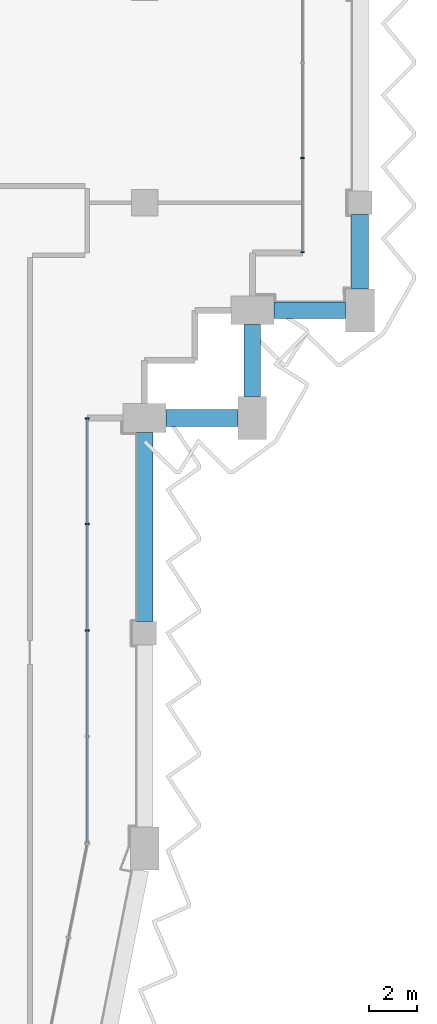
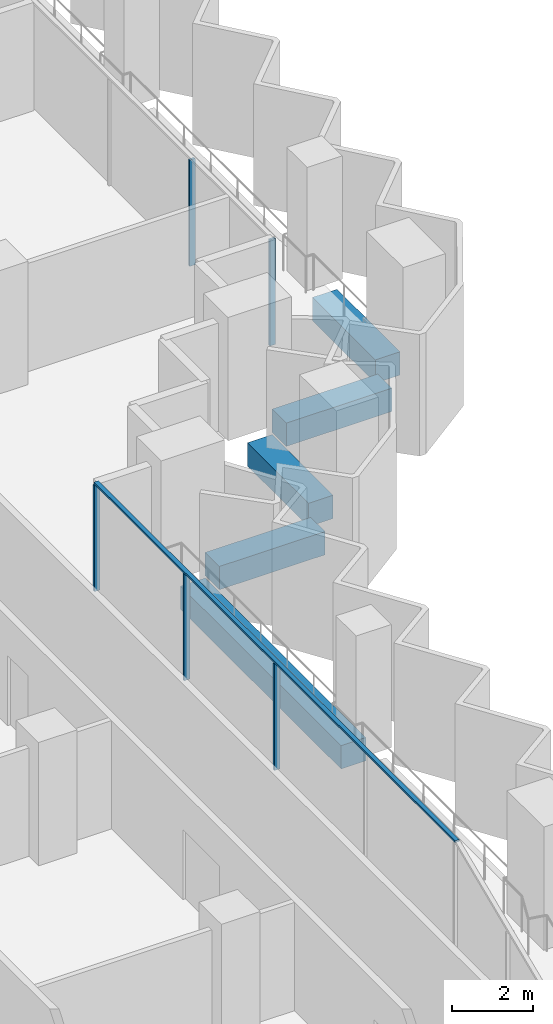
# One storey, part 5 of 18: 6 members, 5 beams, 2 elements without a shape of their own.
"""IFC4 building model written with IfcOpenShell, lengths in metres."""

from ifc_helpers import new_model, si_unit, direction, frame, origin, origin_2d, place, context, subcontext, project, spatial, rectangle, extrude, material, material_profile, profile_set, type_object, element, aggregate, save


model = new_model("IFC4")

# Units and contexts
model_context = context("Model", 3, precision=1e-05, world=origin(), true_north=direction((0.0, 1.0)))
body_context = subcontext(model_context, "Body", "Model", "MODEL_VIEW")
ifc_project = project(units=[si_unit("LENGTHUNIT", "METRE"), si_unit("AREAUNIT", "SQUARE_METRE"), si_unit("VOLUMEUNIT", "CUBIC_METRE"), si_unit("PLANEANGLEUNIT", "RADIAN"), si_unit("MASSUNIT", "GRAM", prefix="KILO")], contexts=[model_context])

# Site, building, storey
site_placement = place(None, origin())
site = spatial("IfcSite", under=ifc_project, at=site_placement, CompositionType="ELEMENT")
building_placement = place(site_placement, origin())
building = spatial("IfcBuilding", under=site, at=building_placement, Name="Hunhe Ridgeline Campus", CompositionType="ELEMENT")
storey_placement = place(building_placement, frame((0.0, 0.0, 223.5)))
storey = spatial("IfcBuildingStorey", under=building, at=storey_placement, Name="L57", CompositionType="ELEMENT", Elevation=223.5)

# Curtain wall, members
ifc_material_1 = material(Name="Aluminium 6063", Category="aluminium")
curtain_wall_type = type_object("IfcCurtainWallType", Name="Curtain wall CW-1", PredefinedType="NOTDEFINED", material=ifc_material_1)
curtain_wall_1_placement = place(storey_placement, origin())
curtain_wall_1 = element("IfcCurtainWall", 1, at=curtain_wall_1_placement, inside=storey, type_object=curtain_wall_type, Name="Curtain wall 11", PredefinedType="NOTDEFINED")
ifc_material_profile_1 = material_profile(ifc_material_1, rectangle(XDim=0.159912109375, YDim=0.06005859375, at=origin_2d()))
ifc_profile_set_1 = profile_set([ifc_material_profile_1], Name="Aluminium 6063")
member_type_1 = type_object("IfcMemberType", Name="CW-1 aluminium mullion", PredefinedType="MULLION", material=ifc_profile_set_1)
member_1_placement = place(storey_placement, frame((42.59912109375, 45.118408203125, 0.0), z_axis=(0.0, 0.0, 1.0), x_axis=(-0.999999999978, 6.642653e-06, 0.0)))
member_1 = element("IfcMember", 2, at=member_1_placement, type_object=member_type_1, Name="CW-1 mullion 3", PredefinedType="MULLION", context=body_context, shape_type="SweptSolid", body=[
    extrude(rectangle(XDim=0.159912109375, YDim=0.06005859375, at=origin_2d()), origin(), (0.0, 0.0, 1.0), 3.18994140625),
])
member_2_placement = place(storey_placement, frame((42.59912109375, 49.5595703125, 0.0), z_axis=(0.0, 0.0, 1.0), x_axis=(-0.999999999978, 6.642653e-06, 0.0)))
member_2 = element("IfcMember", 3, at=member_2_placement, type_object=member_type_1, Name="CW-1 mullion 4", PredefinedType="MULLION", context=body_context, shape_type="SweptSolid", body=[
    extrude(rectangle(XDim=0.159912109375, YDim=0.06005859375, at=origin_2d()), origin(), (0.0, 0.0, 1.0), 3.18994140625),
])
member_3_placement = place(storey_placement, frame((42.59912109375, 53.970458984375, 0.0), z_axis=(0.0, 0.0, 1.0), x_axis=(-0.999999999978, 6.642653e-06, 0.0)))
member_3 = element("IfcMember", 4, at=member_3_placement, type_object=member_type_1, Name="CW-1 mullion 5", PredefinedType="MULLION", context=body_context, shape_type="SweptSolid", body=[
    extrude(rectangle(XDim=0.159912109375, YDim=0.06005859375, at=origin_2d()), origin(), (0.0, 0.0, 1.0), 3.18994140625),
])

curtain_wall_2_placement = place(storey_placement, origin())
curtain_wall_2 = element("IfcCurtainWall", 5, at=curtain_wall_2_placement, inside=storey, type_object=curtain_wall_type, Name="Curtain wall 12", PredefinedType="NOTDEFINED")
member_4_placement = place(storey_placement, frame((51.59912109375, 60.930908203125, 0.0), z_axis=(0.0, 0.0, 1.0), x_axis=(-1.0, 0.0, 0.0)))
member_4 = element("IfcMember", 6, at=member_4_placement, type_object=member_type_1, Name="CW-1 mullion 1", PredefinedType="MULLION", context=body_context, shape_type="SweptSolid", body=[
    extrude(rectangle(XDim=0.159912109375, YDim=0.06005859375, at=origin_2d()), origin(), (0.0, 0.0, 1.0), 3.18994140625),
])
member_5_placement = place(storey_placement, frame((51.59912109375, 64.8759765625, 0.0), z_axis=(0.0, 0.0, 1.0), x_axis=(-1.0, 0.0, 0.0)))
member_5 = element("IfcMember", 7, at=member_5_placement, type_object=member_type_1, Name="CW-1 mullion 2", PredefinedType="MULLION", context=body_context, shape_type="SweptSolid", body=[
    extrude(rectangle(XDim=0.159912109375, YDim=0.06005859375, at=origin_2d()), origin(), (0.0, 0.0, 1.0), 3.18994140625),
])
aggregate(curtain_wall_2, [member_4, member_5])

# Member
ifc_material_profile_2 = material_profile(ifc_material_1, rectangle(XDim=0.1201171875, YDim=0.06005859375, at=origin_2d()))
ifc_profile_set_2 = profile_set([ifc_material_profile_2], Name="Aluminium 6063")
member_type_2 = type_object("IfcMemberType", Name="CW-1 aluminium transom", PredefinedType="USERDEFINED", material=ifc_profile_set_2)
member_6_placement = place(storey_placement, frame((42.59912109375, 36.236572265625, 3.219970703125), z_axis=(0.0, 1.0, 0.0), x_axis=(-1.0, 0.0, 0.0)))
member_6 = element("IfcMember", 8, at=member_6_placement, type_object=member_type_2, Name="CW-1 transom 1", ObjectType="TRANSOM", PredefinedType="USERDEFINED", context=body_context, shape_type="SweptSolid", body=[
    extrude(rectangle(XDim=0.1201171875, YDim=0.06005859375, at=origin_2d()), origin(), (0.0, 0.0, 1.0), 17.763916015625),
])

aggregate(curtain_wall_1, [member_6, member_1, member_2, member_3])

# Beams
ifc_material_2 = material(Name="Concrete C50", Category="concrete")
ifc_material_profile_3 = material_profile(ifc_material_2, rectangle(XDim=0.699951171875, YDim=0.699951171875, at=origin_2d()))
ifc_profile_set_3 = profile_set([ifc_material_profile_3], Name="Concrete C50")
beam_type = type_object("IfcBeamType", Name="RC spandrel beam 700x700 Concrete C50", PredefinedType="SPANDREL", material=ifc_profile_set_3)
beam_1_placement = place(storey_placement, frame((45.0, 45.5, -0.60009765625), z_axis=(0.0, 1.0, 0.0), x_axis=(-1.0, 0.0, 0.0)))
element("IfcBeam", 9, at=beam_1_placement, inside=storey, type_object=beam_type, Name="Spandrel beam B3-10 L57", PredefinedType="SPANDREL", context=body_context, shape_type="SweptSolid", body=[
    extrude(rectangle(XDim=0.699951171875, YDim=0.699951171875, at=origin_2d()), origin(), (0.0, 0.0, 1.0), 7.89990234375),
])
for number, where, z_axis, x_axis, name in (
    (10, (45.89990234375, 54.0, -0.60009765625), (1.0, 0.0, 0.0), (0.0, 1.0, 0.0), "Spandrel beam B3-11 L57"),
    (11, (49.5, 54.89990234375, -0.60009765625), (0.0, 1.0, 0.0), (-1.0, 0.0, 0.0), "Spandrel beam B3-12 L57"),
    (12, (50.39990234375, 58.5, -0.60009765625), (1.0, 0.0, 0.0), (0.0, 1.0, 0.0), "Spandrel beam B3-13 L57"),
):
    element("IfcBeam", number, at=place(storey_placement, frame(where, z_axis=z_axis, x_axis=x_axis)), inside=storey, type_object=beam_type, Name=name, PredefinedType="SPANDREL", context=body_context, shape_type="SweptSolid", body=[
        extrude(rectangle(XDim=0.699951171875, YDim=0.699951171875, at=origin_2d()), origin(), (0.0, 0.0, 1.0), 3.0),
    ])
beam_2_placement = place(storey_placement, frame((54.0, 59.39990234375, -0.60009765625), z_axis=(0.0, 1.0, 0.0), x_axis=(-1.0, 0.0, 0.0)))
element("IfcBeam", 13, at=beam_2_placement, inside=storey, type_object=beam_type, Name="Spandrel beam B3-14 L57", PredefinedType="SPANDREL", context=body_context, shape_type="SweptSolid", body=[
    extrude(rectangle(XDim=0.699951171875, YDim=0.699951171875, at=origin_2d()), origin(), (0.0, 0.0, 1.0), 3.10009765625),
])

save(model, "model.ifc")
